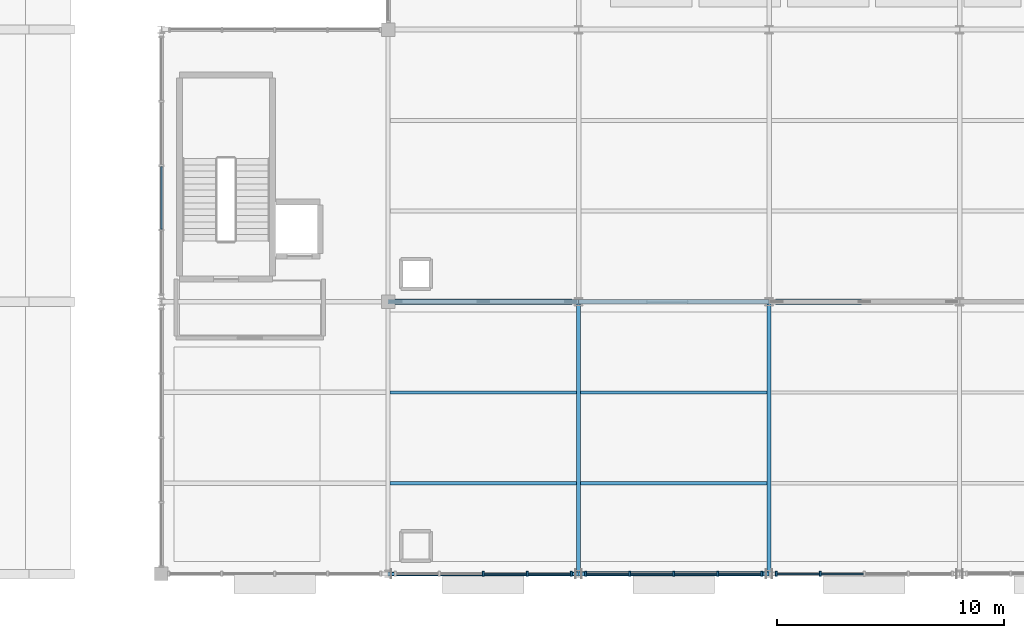
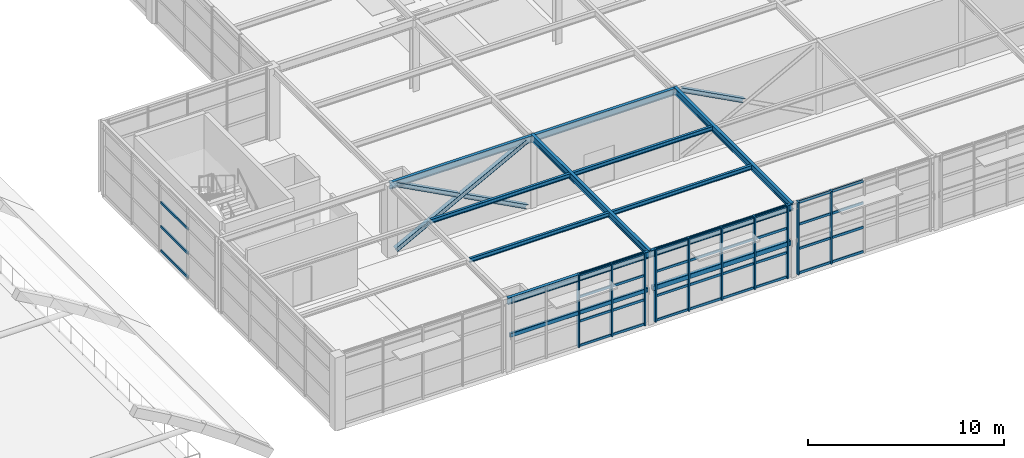
# One storey, part 19 of 82: 49 members, 12 beams, 4 elements without a shape of their own.
"""IFC4 building model written with IfcOpenShell, lengths in metres."""

from ifc_helpers import new_model, si_unit, direction, frame, origin, origin_2d, place, context, subcontext, project, spatial, rectangle, hollow_rectangle, i_section, extrude, material, layer, layer_set, material_profile, profile_set, type_object, element, aggregate, save


model = new_model("IFC4")

# Units and contexts
model_context = context("Model", 3, precision=1e-05, world=origin(), true_north=direction((0.0, 1.0)))
body_context = subcontext(model_context, "Body", "Model", "MODEL_VIEW")
ifc_project = project(units=[si_unit("LENGTHUNIT", "METRE"), si_unit("AREAUNIT", "SQUARE_METRE"), si_unit("VOLUMEUNIT", "CUBIC_METRE"), si_unit("PLANEANGLEUNIT", "RADIAN"), si_unit("MASSUNIT", "GRAM", prefix="KILO")], contexts=[model_context])

# Site, building, storey
site_placement = place(None, origin())
site = spatial("IfcSite", under=ifc_project, at=site_placement, CompositionType="ELEMENT")
building_placement = place(site_placement, origin())
building = spatial("IfcBuilding", under=site, at=building_placement, Name="Sitalva Quay Ferry Terminal", CompositionType="ELEMENT")
storey_placement = place(building_placement, frame((0.0, 0.0, 5.39990234375)))
storey = spatial("IfcBuildingStorey", under=building, at=storey_placement, Name="L02", CompositionType="ELEMENT", Elevation=5.39990234375)

# Beams
ifc_material_1 = material(Name="Structural Steel S355JR", Category="steel")
ifc_material_profile_1 = material_profile(ifc_material_1, i_section(OverallWidth=0.178955078125, OverallDepth=0.409912109375, WebThickness=0.0087890625, FlangeThickness=0.014404296875, FilletRadius=0.012939453125, at=origin_2d()), Name="W410x67")
ifc_profile_set_1 = profile_set([ifc_material_profile_1], Name="Structural Steel S355JR")
beam_type_1 = type_object("IfcBeamType", Name="Beam_W410x67", PredefinedType="BEAM", material=ifc_profile_set_1)
for number, where, z_axis, x_axis, name in (
    (1, (92.39990234375, 6.0, 4.335205078125), (0.0, 1.0, 0.0), (-1.0, 0.0, 0.0), "L02 Primary Y girder 0729"),
    (2, (100.800048828125, 6.0, 4.335205078125), (0.0, 1.0, 0.0), (-1.0, 0.0, 0.0), "L02 Primary Y girder 0730"),
):
    element("IfcBeam", number, at=place(storey_placement, frame(where, z_axis=z_axis, x_axis=x_axis)), inside=storey, type_object=beam_type_1, Name=name, PredefinedType="BEAM", context=body_context, shape_type="SweptSolid", body=[
        extrude(i_section(OverallWidth=0.178955078125, OverallDepth=0.409912109375, WebThickness=0.0087890625, FlangeThickness=0.014404296875, FilletRadius=0.012939453125, at=origin_2d()), origin(), (0.0, 0.0, 1.0), 12.0),
    ])
ifc_material_2 = material(Name="Structural Steel S355JR", Category="steel")
ifc_material_profile_2 = material_profile(ifc_material_2, i_section(OverallWidth=0.180908203125, OverallDepth=0.4169921875, WebThickness=0.010986328125, FlangeThickness=0.018310546875, FilletRadius=0.012939453125, at=origin_2d()), Name="W410x85")
ifc_profile_set_2 = profile_set([ifc_material_profile_2], Name="Structural Steel S355JR")
beam_type_2 = type_object("IfcBeamType", Name="Beam_W410x85", PredefinedType="BEAM", material=ifc_profile_set_2)
beam_1_placement = place(storey_placement, frame((84.0, 6.0, 4.33154296875), z_axis=(1.0, 0.0, 0.0), x_axis=(0.0, 1.0, 0.0)))
element("IfcBeam", 3, at=beam_1_placement, inside=storey, type_object=beam_type_2, Name="L02 Primary X girder 0709", PredefinedType="BEAM", context=body_context, shape_type="SweptSolid", body=[
    extrude(i_section(OverallWidth=0.180908203125, OverallDepth=0.4169921875, WebThickness=0.010986328125, FlangeThickness=0.018310546875, FilletRadius=0.012939453125, at=origin_2d()), origin(), (0.0, 0.0, 1.0), 8.39990234375),
])
beam_2_placement = place(storey_placement, frame((92.39990234375, 6.0, 4.33154296875), z_axis=(1.0, 0.0, 0.0), x_axis=(0.0, 1.0, 0.0)))
element("IfcBeam", 4, at=beam_2_placement, inside=storey, type_object=beam_type_2, Name="L02 Primary X girder 0710", PredefinedType="BEAM", context=body_context, shape_type="SweptSolid", body=[
    extrude(i_section(OverallWidth=0.180908203125, OverallDepth=0.4169921875, WebThickness=0.010986328125, FlangeThickness=0.018310546875, FilletRadius=0.012939453125, at=origin_2d()), origin(), (0.0, 0.0, 1.0), 8.400146484375),
])
beam_3_placement = place(storey_placement, frame((84.0, 18.0, 4.24169921875), z_axis=(1.0, 0.0, 0.0), x_axis=(0.0, 1.0, 0.0)))
element("IfcBeam", 5, at=beam_3_placement, inside=storey, type_object=beam_type_2, Name="L02 Primary X girder 0719", PredefinedType="BEAM", context=body_context, shape_type="SweptSolid", body=[
    extrude(i_section(OverallWidth=0.180908203125, OverallDepth=0.4169921875, WebThickness=0.010986328125, FlangeThickness=0.018310546875, FilletRadius=0.012939453125, at=origin_2d()), origin(), (0.0, 0.0, 1.0), 8.39990234375),
])
beam_4_placement = place(storey_placement, frame((92.39990234375, 18.0, 4.24169921875), z_axis=(1.0, 0.0, 0.0), x_axis=(0.0, 1.0, 0.0)))
element("IfcBeam", 6, at=beam_4_placement, inside=storey, type_object=beam_type_2, Name="L02 Primary X girder 0720", PredefinedType="BEAM", context=body_context, shape_type="SweptSolid", body=[
    extrude(i_section(OverallWidth=0.180908203125, OverallDepth=0.4169921875, WebThickness=0.010986328125, FlangeThickness=0.018310546875, FilletRadius=0.012939453125, at=origin_2d()), origin(), (0.0, 0.0, 1.0), 8.400146484375),
])

# Members
ifc_material_3 = material(Name="Structural Steel S355JR", Category="steel")
ifc_material_profile_3 = material_profile(ifc_material_3, i_section(OverallWidth=0.25390625, OverallDepth=0.2529296875, WebThickness=0.008544921875, FlangeThickness=0.01416015625, FilletRadius=0.011962890625, at=origin_2d()), Name="W250x73")
ifc_profile_set_3 = profile_set([ifc_material_profile_3], Name="Structural Steel S355JR")
member_type_1 = type_object("IfcMemberType", Name="Brace_W250x73", PredefinedType="BRACE", material=ifc_profile_set_3)
member_1_placement = place(storey_placement, frame((84.35009765625, 18.0, 0.150146484375), z_axis=(0.883627031615, 0.0, 0.468191487534), x_axis=(0.0, 1.0, 0.0)))
element("IfcMember", 7, at=member_1_placement, inside=storey, type_object=member_type_1, Name="Braced frame BF7 L02 continuous X-brace A", PredefinedType="BRACE", context=body_context, shape_type="SweptSolid", body=[
    extrude(i_section(OverallWidth=0.25390625, OverallDepth=0.2529296875, WebThickness=0.008544921875, FlangeThickness=0.01416015625, FilletRadius=0.011962890625, at=origin_2d()), origin(), (0.0, 0.0, 1.0), 8.714111328125),
])
for number, where, z_axis, x_axis, name in (
    (8, (84.35009765625, 18.0, 4.22998046875), (0.883617853657, 0.0, -0.468208808864), (0.0, 1.0, 0.0), "Braced frame BF7 L02 split X-brace upper B1"),
    (9, (88.376708984375, 18.0, 2.096435546875), (0.88363072778, 0.0, -0.468184511622), (0.0, 1.0, 0.0), "Braced frame BF7 L02 split X-brace lower B2"),
    (10, (101.14990234375, 18.0, 4.22998046875), (0.88363072778, 0.0, -0.468184511622), (0.0, 1.0, 0.0), "Braced frame BF8 L02 split X-brace upper B1"),
):
    element("IfcMember", number, at=place(storey_placement, frame(where, z_axis=z_axis, x_axis=x_axis)), inside=storey, type_object=member_type_1, Name=name, PredefinedType="BRACE", context=body_context, shape_type="SweptSolid", body=[
        extrude(i_section(OverallWidth=0.25390625, OverallDepth=0.2529296875, WebThickness=0.008544921875, FlangeThickness=0.01416015625, FilletRadius=0.011962890625, at=origin_2d()), origin(), (0.0, 0.0, 1.0), 4.156982421875),
    ])

# Beams
ifc_material_4 = material(Name="Structural Steel S355JR", Category="steel")
ifc_material_profile_4 = material_profile(ifc_material_4, i_section(OverallWidth=0.14697265625, OverallDepth=0.261962890625, WebThickness=0.006591796875, FlangeThickness=0.01123046875, FilletRadius=0.010009765625, at=origin_2d()), Name="W250x39")
ifc_profile_set_4 = profile_set([ifc_material_profile_4], Name="Structural Steel S355JR")
beam_type_3 = type_object("IfcBeamType", Name="Joist_W250x39", PredefinedType="JOIST", material=ifc_profile_set_4)
for number, where, z_axis, x_axis, name in (
    (11, (84.089599609375, 10.0, 4.4091796875), (1.0, 0.0, 0.0), (0.0, 1.0, 0.0), "L02 Secondary joist 0739"),
    (12, (92.489501953125, 10.0, 4.4091796875), (1.0, 0.0, 0.0), (0.0, 1.0, 0.0), "L02 Secondary joist 0740"),
    (13, (84.089599609375, 14.0, 4.4091796875), (1.0, 0.0, 0.0), (0.0, 1.0, 0.0), "L02 Secondary joist 0749"),
    (14, (92.489501953125, 14.0, 4.4091796875), (1.0, 0.0, 0.0), (0.0, 1.0, 0.0), "L02 Secondary joist 0750"),
):
    element("IfcBeam", number, at=place(storey_placement, frame(where, z_axis=z_axis, x_axis=x_axis)), inside=storey, type_object=beam_type_3, Name=name, PredefinedType="JOIST", context=body_context, shape_type="SweptSolid", body=[
        extrude(i_section(OverallWidth=0.14697265625, OverallDepth=0.261962890625, WebThickness=0.006591796875, FlangeThickness=0.01123046875, FilletRadius=0.010009765625, at=origin_2d()), origin(), (0.0, 0.0, 1.0), 8.220947265625),
    ])

# Curtain wall, members
ifc_material_5 = material(Name="Anodised Aluminium & Low-E Glazing", Category="aluminium")
ifc_layer_1 = layer(ifc_material_5, 0.159912109375)
ifc_layer_set_1 = layer_set([ifc_layer_1], Name="Anodised Aluminium & Low-E Glazing")
curtain_wall_type_1 = type_object("IfcCurtainWallType", Name="CW_Concourse_Unitised", PredefinedType="USERDEFINED", material=ifc_layer_set_1)
curtain_wall_1_placement = place(storey_placement, origin())
curtain_wall_1 = element("IfcCurtainWall", 15, at=curtain_wall_1_placement, inside=storey, type_object=curtain_wall_type_1, Name="L02 waterfront boarding concourse glazing (CW-L02-059)", ObjectType="CURTAIN_WALL", PredefinedType="USERDEFINED")
ifc_material_6 = material(Name="Anodised Aluminium 6063-T6", Category="aluminium")
ifc_material_profile_5 = material_profile(ifc_material_6, rectangle(XDim=0.0849609375, YDim=0.2099609375, at=origin_2d()), Name="ALU85x210")
ifc_profile_set_5 = profile_set([ifc_material_profile_5], Name="Anodised Aluminium 6063-T6")
member_type_2 = type_object("IfcMemberType", Name="Mullion_Alu_85x210", PredefinedType="MULLION", material=ifc_profile_set_5)
member_2_placement = place(storey_placement, frame((88.199951171875, 6.0, 0.0), z_axis=(0.0, 0.0, 1.0), x_axis=(1.0, 0.0, 0.0)))
member_2 = element("IfcMember", 16, at=member_2_placement, type_object=member_type_2, Name="CW-L02-059-M2", PredefinedType="MULLION", context=body_context, shape_type="SweptSolid", body=[
    extrude(rectangle(XDim=0.0849609375, YDim=0.2099609375, at=origin_2d()), origin(), (0.0, 0.0, 1.0), 4.5400390625),
])
member_3_placement = place(storey_placement, frame((90.139892578125, 6.0, 0.0), z_axis=(0.0, 0.0, 1.0), x_axis=(1.0, 0.0, 0.0)))
member_3 = element("IfcMember", 17, at=member_3_placement, type_object=member_type_2, Name="CW-L02-059-M3", PredefinedType="MULLION", context=body_context, shape_type="SweptSolid", body=[
    extrude(rectangle(XDim=0.0849609375, YDim=0.2099609375, at=origin_2d()), origin(), (0.0, 0.0, 1.0), 4.5400390625),
])
member_4_placement = place(storey_placement, frame((92.080078125, 6.0, 0.0), z_axis=(0.0, 0.0, 1.0), x_axis=(1.0, 0.0, 0.0)))
member_4 = element("IfcMember", 18, at=member_4_placement, type_object=member_type_2, Name="CW-L02-059-M4", PredefinedType="MULLION", context=body_context, shape_type="SweptSolid", body=[
    extrude(rectangle(XDim=0.0849609375, YDim=0.2099609375, at=origin_2d()), origin(), (0.0, 0.0, 1.0), 4.5400390625),
])

curtain_wall_2_placement = place(storey_placement, origin())
curtain_wall_2 = element("IfcCurtainWall", 19, at=curtain_wall_2_placement, inside=storey, type_object=curtain_wall_type_1, Name="L02 waterfront boarding concourse glazing (CW-L02-060)", ObjectType="CURTAIN_WALL", PredefinedType="USERDEFINED")
member_5_placement = place(storey_placement, frame((92.719970703125, 6.0, 0.0), z_axis=(0.0, 0.0, 1.0), x_axis=(1.0, 0.0, 0.0)))
member_5 = element("IfcMember", 20, at=member_5_placement, type_object=member_type_2, Name="CW-L02-060-M0", PredefinedType="MULLION", context=body_context, shape_type="SweptSolid", body=[
    extrude(rectangle(XDim=0.0849609375, YDim=0.2099609375, at=origin_2d()), origin(), (0.0, 0.0, 1.0), 4.5400390625),
])
member_6_placement = place(storey_placement, frame((94.659912109375, 6.0, 0.0), z_axis=(0.0, 0.0, 1.0), x_axis=(1.0, 0.0, 0.0)))
member_6 = element("IfcMember", 21, at=member_6_placement, type_object=member_type_2, Name="CW-L02-060-M1", PredefinedType="MULLION", context=body_context, shape_type="SweptSolid", body=[
    extrude(rectangle(XDim=0.0849609375, YDim=0.2099609375, at=origin_2d()), origin(), (0.0, 0.0, 1.0), 4.5400390625),
])
member_7_placement = place(storey_placement, frame((96.60009765625, 6.0, 0.0), z_axis=(0.0, 0.0, 1.0), x_axis=(1.0, 0.0, 0.0)))
member_7 = element("IfcMember", 22, at=member_7_placement, type_object=member_type_2, Name="CW-L02-060-M2", PredefinedType="MULLION", context=body_context, shape_type="SweptSolid", body=[
    extrude(rectangle(XDim=0.0849609375, YDim=0.2099609375, at=origin_2d()), origin(), (0.0, 0.0, 1.0), 4.5400390625),
])
member_8_placement = place(storey_placement, frame((98.5400390625, 6.0, 0.0), z_axis=(0.0, 0.0, 1.0), x_axis=(1.0, 0.0, 0.0)))
member_8 = element("IfcMember", 23, at=member_8_placement, type_object=member_type_2, Name="CW-L02-060-M3", PredefinedType="MULLION", context=body_context, shape_type="SweptSolid", body=[
    extrude(rectangle(XDim=0.0849609375, YDim=0.2099609375, at=origin_2d()), origin(), (0.0, 0.0, 1.0), 4.5400390625),
])
member_9_placement = place(storey_placement, frame((100.47998046875, 6.0, 0.0), z_axis=(0.0, 0.0, 1.0), x_axis=(1.0, 0.0, 0.0)))
member_9 = element("IfcMember", 24, at=member_9_placement, type_object=member_type_2, Name="CW-L02-060-M4", PredefinedType="MULLION", context=body_context, shape_type="SweptSolid", body=[
    extrude(rectangle(XDim=0.0849609375, YDim=0.2099609375, at=origin_2d()), origin(), (0.0, 0.0, 1.0), 4.5400390625),
])

curtain_wall_3_placement = place(storey_placement, origin())
curtain_wall_3 = element("IfcCurtainWall", 25, at=curtain_wall_3_placement, inside=storey, type_object=curtain_wall_type_1, Name="L02 waterfront boarding concourse glazing (CW-L02-062)", ObjectType="CURTAIN_WALL", PredefinedType="USERDEFINED")
member_10_placement = place(storey_placement, frame((101.1201171875, 6.0, 0.0), z_axis=(0.0, 0.0, 1.0), x_axis=(1.0, 0.0, 0.0)))
member_10 = element("IfcMember", 26, at=member_10_placement, type_object=member_type_2, Name="CW-L02-062-M0", PredefinedType="MULLION", context=body_context, shape_type="SweptSolid", body=[
    extrude(rectangle(XDim=0.0849609375, YDim=0.2099609375, at=origin_2d()), origin(), (0.0, 0.0, 1.0), 4.5400390625),
])
member_11_placement = place(storey_placement, frame((103.06005859375, 6.0, 0.0), z_axis=(0.0, 0.0, 1.0), x_axis=(1.0, 0.0, 0.0)))
member_11 = element("IfcMember", 27, at=member_11_placement, type_object=member_type_2, Name="CW-L02-062-M1", PredefinedType="MULLION", context=body_context, shape_type="SweptSolid", body=[
    extrude(rectangle(XDim=0.0849609375, YDim=0.2099609375, at=origin_2d()), origin(), (0.0, 0.0, 1.0), 4.5400390625),
])

# Beams
ifc_material_7 = material(Name="Structural Steel S355JR", Category="steel")
ifc_material_profile_6 = material_profile(ifc_material_7, hollow_rectangle(XDim=0.14990234375, YDim=0.25, WallThickness=0.010009765625, InnerFilletRadius=0.010009765625, OuterFilletRadius=0.02001953125, at=origin_2d()), Name="RHS250x150x10")
ifc_profile_set_6 = profile_set([ifc_material_profile_6], Name="Structural Steel S355JR")
beam_type_4 = type_object("IfcBeamType", Name="Spandrel_RHS250x150", PredefinedType="SPANDREL", material=ifc_profile_set_6)
beam_5_placement = place(storey_placement, frame((84.139892578125, 6.0, 2.150146484375), z_axis=(1.0, 0.0, 0.0), x_axis=(0.0, 1.0, 0.0)))
element("IfcBeam", 28, at=beam_5_placement, inside=storey, type_object=beam_type_4, Name="Promenade facade spandrel 01", PredefinedType="SPANDREL", context=body_context, shape_type="SweptSolid", body=[
    extrude(hollow_rectangle(XDim=0.14990234375, YDim=0.25, WallThickness=0.010009765625, InnerFilletRadius=0.010009765625, OuterFilletRadius=0.02001953125, at=origin_2d()), origin(), (0.0, 0.0, 1.0), 8.1201171875),
])
ifc_material_8 = material(Name="Structural Steel S355JR", Category="steel")
ifc_material_profile_7 = material_profile(ifc_material_8, hollow_rectangle(XDim=0.199951171875, YDim=0.300048828125, WallThickness=0.012451171875, InnerFilletRadius=0.012451171875, OuterFilletRadius=0.02490234375, at=origin_2d()), Name="RHS300x200x12.5")
ifc_profile_set_7 = profile_set([ifc_material_profile_7], Name="Structural Steel S355JR")
beam_type_5 = type_object("IfcBeamType", Name="Spandrel_RHS300x200", PredefinedType="SPANDREL", material=ifc_profile_set_7)
beam_6_placement = place(storey_placement, frame((92.5400390625, 6.0, 2.150146484375), z_axis=(1.0, 0.0, 0.0), x_axis=(0.0, 1.0, 0.0)))
element("IfcBeam", 29, at=beam_6_placement, inside=storey, type_object=beam_type_5, Name="Promenade facade spandrel 02", PredefinedType="SPANDREL", context=body_context, shape_type="SweptSolid", body=[
    extrude(hollow_rectangle(XDim=0.199951171875, YDim=0.300048828125, WallThickness=0.012451171875, InnerFilletRadius=0.012451171875, OuterFilletRadius=0.02490234375, at=origin_2d()), origin(), (0.0, 0.0, 1.0), 8.119873046875),
])

# Curtain wall, members
ifc_material_9 = material(Name="Anodised Aluminium & Low-E Glazing", Category="aluminium")
ifc_layer_2 = layer(ifc_material_9, 0.159912109375)
ifc_layer_set_2 = layer_set([ifc_layer_2], Name="Anodised Aluminium & Low-E Glazing")
curtain_wall_type_2 = type_object("IfcCurtainWallType", Name="CW_Podium_Stick", PredefinedType="USERDEFINED", material=ifc_layer_set_2)
curtain_wall_4_placement = place(storey_placement, origin())
curtain_wall_4 = element("IfcCurtainWall", 30, at=curtain_wall_4_placement, inside=storey, type_object=curtain_wall_type_2, Name="L02 spine west clerestory over V1 eaves (CW-L02-084)", ObjectType="CURTAIN_WALL", PredefinedType="USERDEFINED")
ifc_material_10 = material(Name="Anodised Aluminium 6063-T6", Category="aluminium")
ifc_material_profile_8 = material_profile(ifc_material_10, rectangle(XDim=0.074951171875, YDim=0.155029296875, at=origin_2d()), Name="ALU75x155")
ifc_profile_set_8 = profile_set([ifc_material_profile_8], Name="Anodised Aluminium 6063-T6")
member_type_3 = type_object("IfcMemberType", Name="Transom_Alu_70x135", PredefinedType="MULLION", material=ifc_profile_set_8)
member_12_placement = place(storey_placement, frame((74.0, 21.197509765625, 0.07763671875), z_axis=(0.0, 1.0, 0.0), x_axis=(-1.0, 0.0, 0.0)))
member_12 = element("IfcMember", 31, at=member_12_placement, type_object=member_type_3, Name="CW-L02-084-T1-0", ObjectType="TRANSOM", PredefinedType="USERDEFINED", context=body_context, shape_type="SweptSolid", body=[
    extrude(rectangle(XDim=0.074951171875, YDim=0.155029296875, at=origin_2d()), origin(), (0.0, 0.0, 1.0), 2.764892578125),
])
member_13_placement = place(storey_placement, frame((74.0, 21.197509765625, 1.57763671875), z_axis=(0.0, 1.0, 0.0), x_axis=(-1.0, 0.0, 0.0)))
member_13 = element("IfcMember", 32, at=member_13_placement, type_object=member_type_3, Name="CW-L02-084-T1-1", ObjectType="TRANSOM", PredefinedType="USERDEFINED", context=body_context, shape_type="SweptSolid", body=[
    extrude(rectangle(XDim=0.074951171875, YDim=0.155029296875, at=origin_2d()), origin(), (0.0, 0.0, 1.0), 2.764892578125),
])
member_14_placement = place(storey_placement, frame((74.0, 21.197509765625, 3.07763671875), z_axis=(0.0, 1.0, 0.0), x_axis=(-1.0, 0.0, 0.0)))
member_14 = element("IfcMember", 33, at=member_14_placement, type_object=member_type_3, Name="CW-L02-084-T1-2", ObjectType="TRANSOM", PredefinedType="USERDEFINED", context=body_context, shape_type="SweptSolid", body=[
    extrude(rectangle(XDim=0.074951171875, YDim=0.155029296875, at=origin_2d()), origin(), (0.0, 0.0, 1.0), 2.764892578125),
])
aggregate(curtain_wall_4, [member_12, member_13, member_14])

# Member
ifc_material_11 = material(Name="Anodised Aluminium 6063-T6", Category="aluminium")
ifc_material_profile_9 = material_profile(ifc_material_11, rectangle(XDim=0.074951171875, YDim=0.14990234375, at=origin_2d()), Name="ALU75x150")
ifc_profile_set_9 = profile_set([ifc_material_profile_9], Name="Anodised Aluminium 6063-T6")
member_type_4 = type_object("IfcMemberType", Name="Transom_Alu_75x140", PredefinedType="MULLION", material=ifc_profile_set_9)
member_15_placement = place(storey_placement, frame((88.242431640625, 6.0, 0.0751953125), z_axis=(1.0, 0.0, 0.0), x_axis=(0.0, 1.0, 0.0)))
member_15 = element("IfcMember", 34, at=member_15_placement, type_object=member_type_4, Name="CW-L02-059-T2-0", ObjectType="TRANSOM", PredefinedType="USERDEFINED", context=body_context, shape_type="SweptSolid", body=[
    extrude(rectangle(XDim=0.074951171875, YDim=0.14990234375, at=origin_2d()), origin(), (0.0, 0.0, 1.0), 1.85498046875),
])

member_16_placement = place(storey_placement, frame((88.242431640625, 6.0, 1.58837890625), z_axis=(1.0, 0.0, 0.0), x_axis=(0.0, 1.0, 0.0)))
member_16 = element("IfcMember", 35, at=member_16_placement, type_object=member_type_4, Name="CW-L02-059-T2-1", ObjectType="TRANSOM", PredefinedType="USERDEFINED", context=body_context, shape_type="SweptSolid", body=[
    extrude(rectangle(XDim=0.074951171875, YDim=0.14990234375, at=origin_2d()), origin(), (0.0, 0.0, 1.0), 1.85498046875),
])

member_17_placement = place(storey_placement, frame((88.242431640625, 6.0, 3.101806640625), z_axis=(1.0, 0.0, 0.0), x_axis=(0.0, 1.0, 0.0)))
member_17 = element("IfcMember", 36, at=member_17_placement, type_object=member_type_4, Name="CW-L02-059-T2-2", ObjectType="TRANSOM", PredefinedType="USERDEFINED", context=body_context, shape_type="SweptSolid", body=[
    extrude(rectangle(XDim=0.074951171875, YDim=0.14990234375, at=origin_2d()), origin(), (0.0, 0.0, 1.0), 1.85498046875),
])

member_18_placement = place(storey_placement, frame((88.242431640625, 6.0, 4.465087890625), z_axis=(1.0, 0.0, 0.0), x_axis=(0.0, 1.0, 0.0)))
member_18 = element("IfcMember", 37, at=member_18_placement, type_object=member_type_4, Name="CW-L02-059-T2-3", ObjectType="TRANSOM", PredefinedType="USERDEFINED", context=body_context, shape_type="SweptSolid", body=[
    extrude(rectangle(XDim=0.074951171875, YDim=0.14990234375, at=origin_2d()), origin(), (0.0, 0.0, 1.0), 1.85498046875),
])

member_19_placement = place(storey_placement, frame((90.1826171875, 6.0, 0.0751953125), z_axis=(1.0, 0.0, 0.0), x_axis=(0.0, 1.0, 0.0)))
member_19 = element("IfcMember", 38, at=member_19_placement, type_object=member_type_4, Name="CW-L02-059-T3-0", ObjectType="TRANSOM", PredefinedType="USERDEFINED", context=body_context, shape_type="SweptSolid", body=[
    extrude(rectangle(XDim=0.074951171875, YDim=0.14990234375, at=origin_2d()), origin(), (0.0, 0.0, 1.0), 1.85498046875),
])

member_20_placement = place(storey_placement, frame((90.1826171875, 6.0, 1.58837890625), z_axis=(1.0, 0.0, 0.0), x_axis=(0.0, 1.0, 0.0)))
member_20 = element("IfcMember", 39, at=member_20_placement, type_object=member_type_4, Name="CW-L02-059-T3-1", ObjectType="TRANSOM", PredefinedType="USERDEFINED", context=body_context, shape_type="SweptSolid", body=[
    extrude(rectangle(XDim=0.074951171875, YDim=0.14990234375, at=origin_2d()), origin(), (0.0, 0.0, 1.0), 1.85498046875),
])

member_21_placement = place(storey_placement, frame((90.1826171875, 6.0, 3.101806640625), z_axis=(1.0, 0.0, 0.0), x_axis=(0.0, 1.0, 0.0)))
member_21 = element("IfcMember", 40, at=member_21_placement, type_object=member_type_4, Name="CW-L02-059-T3-2", ObjectType="TRANSOM", PredefinedType="USERDEFINED", context=body_context, shape_type="SweptSolid", body=[
    extrude(rectangle(XDim=0.074951171875, YDim=0.14990234375, at=origin_2d()), origin(), (0.0, 0.0, 1.0), 1.85498046875),
])

member_22_placement = place(storey_placement, frame((90.1826171875, 6.0, 4.465087890625), z_axis=(1.0, 0.0, 0.0), x_axis=(0.0, 1.0, 0.0)))
member_22 = element("IfcMember", 41, at=member_22_placement, type_object=member_type_4, Name="CW-L02-059-T3-3", ObjectType="TRANSOM", PredefinedType="USERDEFINED", context=body_context, shape_type="SweptSolid", body=[
    extrude(rectangle(XDim=0.074951171875, YDim=0.14990234375, at=origin_2d()), origin(), (0.0, 0.0, 1.0), 1.85498046875),
])

aggregate(curtain_wall_1, [member_2, member_3, member_4, member_15, member_16, member_17, member_18, member_19, member_20, member_21, member_22])

member_23_placement = place(storey_placement, frame((92.762451171875, 6.0, 0.0751953125), z_axis=(1.0, 0.0, 0.0), x_axis=(0.0, 1.0, 0.0)))
member_23 = element("IfcMember", 42, at=member_23_placement, type_object=member_type_4, Name="CW-L02-060-T0-0", ObjectType="TRANSOM", PredefinedType="USERDEFINED", context=body_context, shape_type="SweptSolid", body=[
    extrude(rectangle(XDim=0.074951171875, YDim=0.14990234375, at=origin_2d()), origin(), (0.0, 0.0, 1.0), 1.85498046875),
])

member_24_placement = place(storey_placement, frame((92.762451171875, 6.0, 1.58837890625), z_axis=(1.0, 0.0, 0.0), x_axis=(0.0, 1.0, 0.0)))
member_24 = element("IfcMember", 43, at=member_24_placement, type_object=member_type_4, Name="CW-L02-060-T0-1", ObjectType="TRANSOM", PredefinedType="USERDEFINED", context=body_context, shape_type="SweptSolid", body=[
    extrude(rectangle(XDim=0.074951171875, YDim=0.14990234375, at=origin_2d()), origin(), (0.0, 0.0, 1.0), 1.85498046875),
])

member_25_placement = place(storey_placement, frame((92.762451171875, 6.0, 3.101806640625), z_axis=(1.0, 0.0, 0.0), x_axis=(0.0, 1.0, 0.0)))
member_25 = element("IfcMember", 44, at=member_25_placement, type_object=member_type_4, Name="CW-L02-060-T0-2", ObjectType="TRANSOM", PredefinedType="USERDEFINED", context=body_context, shape_type="SweptSolid", body=[
    extrude(rectangle(XDim=0.074951171875, YDim=0.14990234375, at=origin_2d()), origin(), (0.0, 0.0, 1.0), 1.85498046875),
])

member_26_placement = place(storey_placement, frame((92.762451171875, 6.0, 4.465087890625), z_axis=(1.0, 0.0, 0.0), x_axis=(0.0, 1.0, 0.0)))
member_26 = element("IfcMember", 45, at=member_26_placement, type_object=member_type_4, Name="CW-L02-060-T0-3", ObjectType="TRANSOM", PredefinedType="USERDEFINED", context=body_context, shape_type="SweptSolid", body=[
    extrude(rectangle(XDim=0.074951171875, YDim=0.14990234375, at=origin_2d()), origin(), (0.0, 0.0, 1.0), 1.85498046875),
])

member_27_placement = place(storey_placement, frame((94.702392578125, 6.0, 0.0751953125), z_axis=(1.0, 0.0, 0.0), x_axis=(0.0, 1.0, 0.0)))
member_27 = element("IfcMember", 46, at=member_27_placement, type_object=member_type_4, Name="CW-L02-060-T1-0", ObjectType="TRANSOM", PredefinedType="USERDEFINED", context=body_context, shape_type="SweptSolid", body=[
    extrude(rectangle(XDim=0.074951171875, YDim=0.14990234375, at=origin_2d()), origin(), (0.0, 0.0, 1.0), 1.855224609375),
])

member_28_placement = place(storey_placement, frame((94.702392578125, 6.0, 1.58837890625), z_axis=(1.0, 0.0, 0.0), x_axis=(0.0, 1.0, 0.0)))
member_28 = element("IfcMember", 47, at=member_28_placement, type_object=member_type_4, Name="CW-L02-060-T1-1", ObjectType="TRANSOM", PredefinedType="USERDEFINED", context=body_context, shape_type="SweptSolid", body=[
    extrude(rectangle(XDim=0.074951171875, YDim=0.14990234375, at=origin_2d()), origin(), (0.0, 0.0, 1.0), 1.855224609375),
])

member_29_placement = place(storey_placement, frame((94.702392578125, 6.0, 3.101806640625), z_axis=(1.0, 0.0, 0.0), x_axis=(0.0, 1.0, 0.0)))
member_29 = element("IfcMember", 48, at=member_29_placement, type_object=member_type_4, Name="CW-L02-060-T1-2", ObjectType="TRANSOM", PredefinedType="USERDEFINED", context=body_context, shape_type="SweptSolid", body=[
    extrude(rectangle(XDim=0.074951171875, YDim=0.14990234375, at=origin_2d()), origin(), (0.0, 0.0, 1.0), 1.855224609375),
])

member_30_placement = place(storey_placement, frame((94.702392578125, 6.0, 4.465087890625), z_axis=(1.0, 0.0, 0.0), x_axis=(0.0, 1.0, 0.0)))
member_30 = element("IfcMember", 49, at=member_30_placement, type_object=member_type_4, Name="CW-L02-060-T1-3", ObjectType="TRANSOM", PredefinedType="USERDEFINED", context=body_context, shape_type="SweptSolid", body=[
    extrude(rectangle(XDim=0.074951171875, YDim=0.14990234375, at=origin_2d()), origin(), (0.0, 0.0, 1.0), 1.855224609375),
])

member_31_placement = place(storey_placement, frame((96.642578125, 6.0, 0.0751953125), z_axis=(1.0, 0.0, 0.0), x_axis=(0.0, 1.0, 0.0)))
member_31 = element("IfcMember", 50, at=member_31_placement, type_object=member_type_4, Name="CW-L02-060-T2-0", ObjectType="TRANSOM", PredefinedType="USERDEFINED", context=body_context, shape_type="SweptSolid", body=[
    extrude(rectangle(XDim=0.074951171875, YDim=0.14990234375, at=origin_2d()), origin(), (0.0, 0.0, 1.0), 1.85498046875),
])

member_32_placement = place(storey_placement, frame((96.642578125, 6.0, 1.58837890625), z_axis=(1.0, 0.0, 0.0), x_axis=(0.0, 1.0, 0.0)))
member_32 = element("IfcMember", 51, at=member_32_placement, type_object=member_type_4, Name="CW-L02-060-T2-1", ObjectType="TRANSOM", PredefinedType="USERDEFINED", context=body_context, shape_type="SweptSolid", body=[
    extrude(rectangle(XDim=0.074951171875, YDim=0.14990234375, at=origin_2d()), origin(), (0.0, 0.0, 1.0), 1.85498046875),
])

member_33_placement = place(storey_placement, frame((96.642578125, 6.0, 3.101806640625), z_axis=(1.0, 0.0, 0.0), x_axis=(0.0, 1.0, 0.0)))
member_33 = element("IfcMember", 52, at=member_33_placement, type_object=member_type_4, Name="CW-L02-060-T2-2", ObjectType="TRANSOM", PredefinedType="USERDEFINED", context=body_context, shape_type="SweptSolid", body=[
    extrude(rectangle(XDim=0.074951171875, YDim=0.14990234375, at=origin_2d()), origin(), (0.0, 0.0, 1.0), 1.85498046875),
])

member_34_placement = place(storey_placement, frame((96.642578125, 6.0, 4.465087890625), z_axis=(1.0, 0.0, 0.0), x_axis=(0.0, 1.0, 0.0)))
member_34 = element("IfcMember", 53, at=member_34_placement, type_object=member_type_4, Name="CW-L02-060-T2-3", ObjectType="TRANSOM", PredefinedType="USERDEFINED", context=body_context, shape_type="SweptSolid", body=[
    extrude(rectangle(XDim=0.074951171875, YDim=0.14990234375, at=origin_2d()), origin(), (0.0, 0.0, 1.0), 1.85498046875),
])

member_35_placement = place(storey_placement, frame((98.58251953125, 6.0, 0.0751953125), z_axis=(1.0, 0.0, 0.0), x_axis=(0.0, 1.0, 0.0)))
member_35 = element("IfcMember", 54, at=member_35_placement, type_object=member_type_4, Name="CW-L02-060-T3-0", ObjectType="TRANSOM", PredefinedType="USERDEFINED", context=body_context, shape_type="SweptSolid", body=[
    extrude(rectangle(XDim=0.074951171875, YDim=0.14990234375, at=origin_2d()), origin(), (0.0, 0.0, 1.0), 1.85498046875),
])

member_36_placement = place(storey_placement, frame((98.58251953125, 6.0, 1.58837890625), z_axis=(1.0, 0.0, 0.0), x_axis=(0.0, 1.0, 0.0)))
member_36 = element("IfcMember", 55, at=member_36_placement, type_object=member_type_4, Name="CW-L02-060-T3-1", ObjectType="TRANSOM", PredefinedType="USERDEFINED", context=body_context, shape_type="SweptSolid", body=[
    extrude(rectangle(XDim=0.074951171875, YDim=0.14990234375, at=origin_2d()), origin(), (0.0, 0.0, 1.0), 1.85498046875),
])

member_37_placement = place(storey_placement, frame((98.58251953125, 6.0, 3.101806640625), z_axis=(1.0, 0.0, 0.0), x_axis=(0.0, 1.0, 0.0)))
member_37 = element("IfcMember", 56, at=member_37_placement, type_object=member_type_4, Name="CW-L02-060-T3-2", ObjectType="TRANSOM", PredefinedType="USERDEFINED", context=body_context, shape_type="SweptSolid", body=[
    extrude(rectangle(XDim=0.074951171875, YDim=0.14990234375, at=origin_2d()), origin(), (0.0, 0.0, 1.0), 1.85498046875),
])

member_38_placement = place(storey_placement, frame((98.58251953125, 6.0, 4.465087890625), z_axis=(1.0, 0.0, 0.0), x_axis=(0.0, 1.0, 0.0)))
member_38 = element("IfcMember", 57, at=member_38_placement, type_object=member_type_4, Name="CW-L02-060-T3-3", ObjectType="TRANSOM", PredefinedType="USERDEFINED", context=body_context, shape_type="SweptSolid", body=[
    extrude(rectangle(XDim=0.074951171875, YDim=0.14990234375, at=origin_2d()), origin(), (0.0, 0.0, 1.0), 1.85498046875),
])

aggregate(curtain_wall_2, [member_5, member_6, member_7, member_8, member_9, member_23, member_24, member_25, member_26, member_27, member_28, member_29, member_30, member_31, member_32, member_33, member_34, member_35, member_36, member_37, member_38])

member_39_placement = place(storey_placement, frame((101.16259765625, 6.0, 0.0751953125), z_axis=(1.0, 0.0, 0.0), x_axis=(0.0, 1.0, 0.0)))
member_39 = element("IfcMember", 58, at=member_39_placement, type_object=member_type_4, Name="CW-L02-062-T0-0", ObjectType="TRANSOM", PredefinedType="USERDEFINED", context=body_context, shape_type="SweptSolid", body=[
    extrude(rectangle(XDim=0.074951171875, YDim=0.14990234375, at=origin_2d()), origin(), (0.0, 0.0, 1.0), 1.85498046875),
])

member_40_placement = place(storey_placement, frame((101.16259765625, 6.0, 1.58837890625), z_axis=(1.0, 0.0, 0.0), x_axis=(0.0, 1.0, 0.0)))
member_40 = element("IfcMember", 59, at=member_40_placement, type_object=member_type_4, Name="CW-L02-062-T0-1", ObjectType="TRANSOM", PredefinedType="USERDEFINED", context=body_context, shape_type="SweptSolid", body=[
    extrude(rectangle(XDim=0.074951171875, YDim=0.14990234375, at=origin_2d()), origin(), (0.0, 0.0, 1.0), 1.85498046875),
])

member_41_placement = place(storey_placement, frame((101.16259765625, 6.0, 3.101806640625), z_axis=(1.0, 0.0, 0.0), x_axis=(0.0, 1.0, 0.0)))
member_41 = element("IfcMember", 60, at=member_41_placement, type_object=member_type_4, Name="CW-L02-062-T0-2", ObjectType="TRANSOM", PredefinedType="USERDEFINED", context=body_context, shape_type="SweptSolid", body=[
    extrude(rectangle(XDim=0.074951171875, YDim=0.14990234375, at=origin_2d()), origin(), (0.0, 0.0, 1.0), 1.85498046875),
])

member_42_placement = place(storey_placement, frame((101.16259765625, 6.0, 4.465087890625), z_axis=(1.0, 0.0, 0.0), x_axis=(0.0, 1.0, 0.0)))
member_42 = element("IfcMember", 61, at=member_42_placement, type_object=member_type_4, Name="CW-L02-062-T0-3", ObjectType="TRANSOM", PredefinedType="USERDEFINED", context=body_context, shape_type="SweptSolid", body=[
    extrude(rectangle(XDim=0.074951171875, YDim=0.14990234375, at=origin_2d()), origin(), (0.0, 0.0, 1.0), 1.85498046875),
])

member_43_placement = place(storey_placement, frame((103.1025390625, 6.0, 0.0751953125), z_axis=(1.0, 0.0, 0.0), x_axis=(0.0, 1.0, 0.0)))
member_43 = element("IfcMember", 62, at=member_43_placement, type_object=member_type_4, Name="CW-L02-062-T1-0", ObjectType="TRANSOM", PredefinedType="USERDEFINED", context=body_context, shape_type="SweptSolid", body=[
    extrude(rectangle(XDim=0.074951171875, YDim=0.14990234375, at=origin_2d()), origin(), (0.0, 0.0, 1.0), 1.85498046875),
])

member_44_placement = place(storey_placement, frame((103.1025390625, 6.0, 1.58837890625), z_axis=(1.0, 0.0, 0.0), x_axis=(0.0, 1.0, 0.0)))
member_44 = element("IfcMember", 63, at=member_44_placement, type_object=member_type_4, Name="CW-L02-062-T1-1", ObjectType="TRANSOM", PredefinedType="USERDEFINED", context=body_context, shape_type="SweptSolid", body=[
    extrude(rectangle(XDim=0.074951171875, YDim=0.14990234375, at=origin_2d()), origin(), (0.0, 0.0, 1.0), 1.85498046875),
])

member_45_placement = place(storey_placement, frame((103.1025390625, 6.0, 3.101806640625), z_axis=(1.0, 0.0, 0.0), x_axis=(0.0, 1.0, 0.0)))
member_45 = element("IfcMember", 64, at=member_45_placement, type_object=member_type_4, Name="CW-L02-062-T1-2", ObjectType="TRANSOM", PredefinedType="USERDEFINED", context=body_context, shape_type="SweptSolid", body=[
    extrude(rectangle(XDim=0.074951171875, YDim=0.14990234375, at=origin_2d()), origin(), (0.0, 0.0, 1.0), 1.85498046875),
])

member_46_placement = place(storey_placement, frame((103.1025390625, 6.0, 4.465087890625), z_axis=(1.0, 0.0, 0.0), x_axis=(0.0, 1.0, 0.0)))
member_46 = element("IfcMember", 65, at=member_46_placement, type_object=member_type_4, Name="CW-L02-062-T1-3", ObjectType="TRANSOM", PredefinedType="USERDEFINED", context=body_context, shape_type="SweptSolid", body=[
    extrude(rectangle(XDim=0.074951171875, YDim=0.14990234375, at=origin_2d()), origin(), (0.0, 0.0, 1.0), 1.85498046875),
])

aggregate(curtain_wall_3, [member_10, member_11, member_39, member_40, member_41, member_42, member_43, member_44, member_45, member_46])

save(model, "model.ifc")
